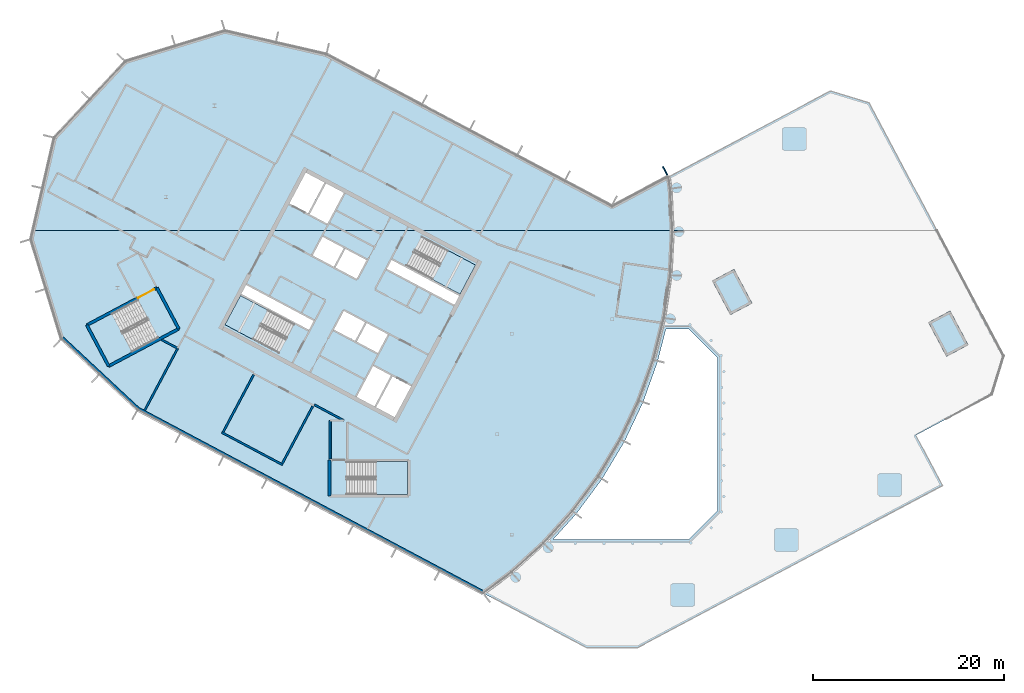
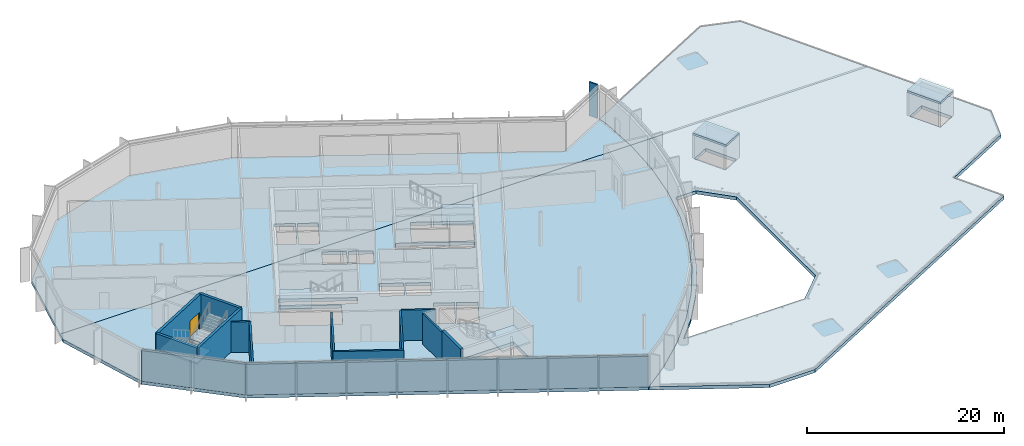
# One storey, part 4 of 16: 14 walls, 10 slabs, 1 door, 1 member, 1 opening, 5 elements without a shape of their own.
"""IFC4 building model written with IfcOpenShell, lengths in metres."""

from ifc_helpers import new_model, si_unit, direction, frame, frame_2d, origin, origin_2d, place, context, subcontext, project, spatial, polyline, rectangle, outline, extrude, material, layer, layer_set, material_profile, profile_set, type_object, element, fill, aggregate, save


model = new_model("IFC4")

# Units and contexts
model_context = context("Model", 3, precision=1e-05, world=origin(), true_north=direction((0.0, 1.0)))
body_context = subcontext(model_context, "Body", "Model", "MODEL_VIEW")
ifc_project = project(units=[si_unit("LENGTHUNIT", "METRE"), si_unit("AREAUNIT", "SQUARE_METRE"), si_unit("VOLUMEUNIT", "CUBIC_METRE"), si_unit("PLANEANGLEUNIT", "RADIAN"), si_unit("MASSUNIT", "GRAM", prefix="KILO")], contexts=[model_context])

# Site, building, storey
site_placement = place(None, origin())
site = spatial("IfcSite", under=ifc_project, at=site_placement, CompositionType="ELEMENT")
building_placement = place(site_placement, origin())
building = spatial("IfcBuilding", under=site, at=building_placement, Name="Cormorant Relay Tower", CompositionType="ELEMENT")
storey_placement = place(building_placement, frame((0.0, 0.0, 328.199951171875)))
storey = spatial("IfcBuildingStorey", under=building, at=storey_placement, Name="C1", CompositionType="ELEMENT", Elevation=328.199951171875)

# Curtain wall, member
ifc_material_1 = material(Name="Aluminium 6063-T6 anodised bronze", Category="aluminium")
ifc_layer_1 = layer(ifc_material_1, 0.199951171875)
ifc_layer_set_1 = layer_set([ifc_layer_1], Name="CW3 crown screen wall")
curtain_wall_type = type_object("IfcCurtainWallType", Name="CW3 crown screen wall", PredefinedType="NOTDEFINED", material=ifc_layer_set_1)
curtain_wall_placement = place(storey_placement, origin())
curtain_wall = element("IfcCurtainWall", 1, at=curtain_wall_placement, inside=storey, type_object=curtain_wall_type, Name="CW3 curtain wall 14", PredefinedType="NOTDEFINED")
ifc_material_2 = material(Name="Aluminium 6063-T6 anodised bronze", Category="aluminium")
ifc_material_profile = material_profile(ifc_material_2, rectangle(XDim=0.14990234375, YDim=1.0, at=origin_2d()), Name="AL 150x1000")
ifc_profile_set = profile_set([ifc_material_profile], Name="Aluminium 6063-T6 anodised bronze")
member_type = type_object("IfcMemberType", Name="CW3 bronze fin mullion 150 x 1000", PredefinedType="MULLION", material=ifc_profile_set)
member_placement = place(storey_placement, frame((5.52978515625, 27.51708984375, 0.0), z_axis=(0.0, 0.0, 1.0), x_axis=(-0.882947592859, -0.469471562786, 0.0)))
member = element("IfcMember", 2, at=member_placement, type_object=member_type, Name="CW3 fin 14.1", PredefinedType="MULLION", context=body_context, shape_type="SweptSolid", body=[
    extrude(rectangle(XDim=0.14990234375, YDim=1.0, at=origin_2d()), origin(), (0.0, 0.0, 1.0), 4.199951171875),
])
aggregate(curtain_wall, [member])

# Slabs
ifc_material_3 = material(Name="Concrete 40 MPa", Category="concrete")
ifc_layer_2 = layer(ifc_material_3, 0.400146484375)
ifc_layer_set_2 = layer_set([ifc_layer_2], Name="Crown floor slab 400")
slab_type_1 = type_object("IfcSlabType", Name="Crown floor slab 400", PredefinedType="FLOOR", material=ifc_layer_set_2)
slab_1_placement = place(storey_placement, frame((0.0, 0.0, -0.400146484375)))
element("IfcSlab", 3, at=slab_1_placement, inside=storey, type_object=slab_type_1, Name="Crown floor C1", PredefinedType="FLOOR", context=body_context, shape_type="SweptSolid", body=[
    extrude(outline(polyline([(-13.489013671875, -16.61181640625), (-10.550537109375, -14.432373046875), (-7.205810546875, -11.400634765625), (-4.17431640625, -8.055908203125), (-1.485107421875, -4.429931640625), (0.835693359375, -0.55810546875), (2.765869140625, 3.522705078125), (4.28662109375, 7.773193359375), (5.383544921875, 12.152099609375), (6.0458984375, 16.617431640625), (6.267333984375, 21.126220703125), (6.2587890625, 21.300048828125), (-60.510498046875, 21.300048828125), (-60.7197265625, 20.393310546875), (-57.541748046875, 9.997802734375), (-49.591552734375, 2.584228515625), (-13.489013671875, -16.61181640625)]), holes=[polyline([(-52.563720703125, 7.3134765625), (-47.442626953125, 10.036376953125), (-49.57861328125, 14.0537109375), (-54.69970703125, 11.330810546875), (-52.563720703125, 7.3134765625)]), polyline([(-28.039794921875, 12.870361328125), (-29.07275390625, 10.927978515625), (-26.865234375, 9.75439453125), (-25.83251953125, 11.69677734375), (-28.039794921875, 12.870361328125)]), polyline([(-38.847900390625, 14.483154296875), (-40.46728515625, 11.43701171875), (-34.860595703125, 8.455810546875), (-33.240966796875, 11.502197265625), (-38.847900390625, 14.483154296875)]), polyline([(-38.75390625, 14.659912109375), (-31.690185546875, 10.904052734375), (-31.197265625, 11.8310546875), (-38.260986328125, 15.5869140625), (-38.75390625, 14.659912109375)]), polyline([(-31.294189453125, 18.677978515625), (-29.0869140625, 17.50439453125), (-28.053955078125, 19.447021484375), (-30.261474609375, 20.62060546875), (-31.294189453125, 18.677978515625)]), polyline([(-21.39990234375, -2.875), (-27.75, -2.875), (-27.75, -6.324951171875), (-21.39990234375, -6.324951171875), (-21.39990234375, -2.875)]), polyline([(-22.95458984375, 6.03271484375), (-24.668212890625, 2.81005859375), (-22.725830078125, 1.777099609375), (-21.01220703125, 5.0), (-23.04296875, 6.07958984375), (-22.95458984375, 6.03271484375)]), polyline([(-24.985595703125, 7.112548828125), (-26.69921875, 3.889892578125), (-24.844970703125, 2.90380859375), (-23.13134765625, 6.126708984375), (-23.04296875, 6.07958984375), (-24.985595703125, 7.112548828125)]), polyline([(-24.481201171875, 8.48681640625), (-23.448486328125, 10.42919921875), (-25.656005859375, 11.602783203125), (-26.688720703125, 9.660400390625), (-24.481201171875, 8.48681640625)]), polyline([(-15.989013671875, 14.447509765625), (-23.052490234375, 18.203125), (-23.54541015625, 17.276123046875), (-16.481689453125, 13.520263671875), (-15.989013671875, 14.447509765625)]), polyline([(-15.89501953125, 14.6240234375), (-14.275390625, 17.670166015625), (-19.882080078125, 20.6513671875), (-21.501708984375, 17.605224609375), (-15.89501953125, 14.6240234375)]), polyline([(-25.670166015625, 18.17919921875), (-27.87744140625, 19.35302734375), (-28.910400390625, 17.410400390625), (-26.702880859375, 16.23681640625), (-25.670166015625, 18.17919921875)])]), origin(), (0.0, 0.0, 1.0), 0.400146484375),
])
slab_2_placement = place(storey_placement, frame((0.0, 0.0, -0.400146484375)))
element("IfcSlab", 4, at=slab_2_placement, inside=storey, type_object=slab_type_1, Name="Crown floor C1", PredefinedType="FLOOR", context=body_context, shape_type="SweptSolid", body=[
    extrude(outline(polyline([(-60.510498046875, 21.300048828125), (6.2587890625, 21.300048828125), (6.0458984375, 25.635009765625), (5.8583984375, 26.89892578125), (0.0, 23.783935546875), (-29.873779296875, 39.668212890625), (-40.465576171875, 42.11328125), (-50.86083984375, 38.935302734375), (-58.2744140625, 30.985107421875), (-60.510498046875, 21.300048828125)]), holes=[polyline([(-29.75732421875, 21.99462890625), (-28.043701171875, 25.217529296875), (-29.89794921875, 26.203369140625), (-31.611572265625, 22.980712890625), (-29.75732421875, 21.99462890625)]), polyline([(-33.73046875, 24.107421875), (-31.7880859375, 23.074462890625), (-30.074462890625, 26.29736328125), (-32.01708984375, 27.330078125), (-33.73046875, 24.107421875)])]), origin(), (0.0, 0.0, 1.0), 0.400146484375),
])
ifc_material_4 = material(Name="Concrete 40 MPa", Category="concrete")
ifc_layer_3 = layer(ifc_material_4, 0.400146484375)
ifc_layer_set_3 = layer_set([ifc_layer_3], Name="Crown terrace roof slab 400")
slab_type_2 = type_object("IfcSlabType", Name="Crown terrace roof slab 400", PredefinedType="ROOF", material=ifc_layer_set_3)
slab_3_placement = place(storey_placement, frame((0.0, 0.0, -0.400146484375)))
element("IfcSlab", 5, at=slab_3_placement, inside=storey, type_object=slab_type_2, Name="Roof terrace L74", PredefinedType="ROOF", context=body_context, shape_type="SweptSolid", body=[
    extrude(outline(polyline([(-2.648681640625, -22.37548828125), (2.648681640625, -22.37548828125), (34.581298828125, -5.396728515625), (31.7646484375, -0.09912109375), (39.711181640625, 4.126220703125), (40.95166015625, 8.18359375), (33.977294921875, 21.300048828125), (6.259765625, 21.300048828125), (6.268310546875, 21.126220703125), (6.268310546875, 21.126220703125), (6.046875, 16.617431640625), (6.046875, 16.6171875), (5.384521484375, 12.15185546875), (5.384521484375, 12.15185546875), (4.28759765625, 7.77294921875), (4.28759765625, 7.772705078125), (2.766845703125, 3.5224609375), (2.7666015625, 3.5224609375), (0.836669921875, -0.55859375), (0.836669921875, -0.55859375), (-1.484130859375, -4.430419921875), (-1.484130859375, -4.4306640625), (-4.17333984375, -8.056396484375), (-4.17333984375, -8.056396484375), (-7.205078125, -11.4013671875), (-7.205078125, -11.4013671875), (-10.5498046875, -14.43310546875), (-10.550048828125, -14.43310546875), (-13.48828125, -16.6123046875), (-2.648681640625, -22.37548828125)]), holes=[polyline([(8.0, 11.0), (5.6103515625, 11.0), (4.765625, 7.627685546875), (3.228271484375, 3.331298828125), (1.277099609375, -0.7939453125), (-1.06884765625, -4.7080078125), (-3.787109375, -8.373291015625), (-6.167724609375, -11.0), (8.0, -11.0), (11.0, -8.0), (11.0, 8.0), (8.0, 11.0)]), polyline([(35.31591796875, 12.605224609375), (33.37353515625, 11.572509765625), (35.087158203125, 8.349609375), (37.029541015625, 9.382568359375), (35.31591796875, 12.605224609375)]), polyline([(12.36328125, 12.74609375), (14.39404296875, 13.825927734375), (14.3056640625, 13.779052734375), (12.592041015625, 17.001708984375), (10.649658203125, 15.968994140625), (12.36328125, 12.74609375)])]), origin(), (0.0, 0.0, 1.0), 0.400146484375),
])
slab_4_placement = place(storey_placement, frame((0.0, 0.0, -0.400146484375)))
element("IfcSlab", 6, at=slab_4_placement, inside=storey, type_object=slab_type_2, Name="Roof terrace L74", PredefinedType="ROOF", context=body_context, shape_type="SweptSolid", body=[
    extrude(outline(polyline([(6.259765625, 21.300048828125), (33.977294921875, 21.300048828125), (26.867431640625, 34.671875), (22.810302734375, 35.912353515625), (5.859375, 26.8994140625), (5.859375, 26.8994140625), (5.859375, 26.8994140625), (5.859375, 26.899169921875), (5.859375, 26.899169921875), (6.046875, 25.63525390625), (6.046875, 25.635009765625), (6.259765625, 21.300048828125)])), origin(), (0.0, 0.0, 1.0), 0.400146484375),
])

# Stair, slab
ifc_material_5 = material(Name="Concrete 40 MPa", Category="concrete")
stair_type_1 = type_object("IfcStairType", Name="Exit stair 1500", PredefinedType="HALF_TURN_STAIR", material=ifc_material_5)
stair_1_placement = place(storey_placement, origin())
stair_1 = element("IfcStair", 7, at=stair_1_placement, inside=storey, type_object=stair_type_1, Name="C1 Stair", PredefinedType="HALF_TURN_STAIR")
ifc_material_6 = material(Name="Concrete 40 MPa", Category="concrete")
ifc_layer_4 = layer(ifc_material_6, 0.199951171875)
ifc_layer_set_4 = layer_set([ifc_layer_4], Name="Exit stair landing 200")
slab_type_3 = type_object("IfcSlabType", Name="Exit stair landing 200", PredefinedType="LANDING", material=ifc_layer_set_4)
slab_5_placement = place(storey_placement, frame((0.0, 0.0, 1.900146484375)))
slab_5 = element("IfcSlab", 8, at=slab_5_placement, type_object=slab_type_3, Name="A1 landing 1", PredefinedType="LANDING", context=body_context, shape_type="SweptSolid", body=[
    extrude(outline(polyline([(-18.7822265625, 16.1591796875), (-15.89501953125, 14.6240234375), (-14.275390625, 17.670166015625), (-17.16259765625, 19.205322265625), (-18.7822265625, 16.1591796875)])), origin(), (0.0, 0.0, 1.0), 0.199951171875),
])
aggregate(stair_1, [slab_5])

stair_2_placement = place(storey_placement, origin())
stair_2 = element("IfcStair", 9, at=stair_2_placement, inside=storey, type_object=stair_type_1, Name="C1 Stair", PredefinedType="HALF_TURN_STAIR")
slab_6_placement = place(storey_placement, frame((0.0, 0.0, 1.900146484375)))
slab_6 = element("IfcSlab", 10, at=slab_6_placement, type_object=slab_type_3, Name="A2 landing 1", PredefinedType="LANDING", context=body_context, shape_type="SweptSolid", body=[
    extrude(outline(polyline([(-35.96044921875, 12.947998046875), (-38.84765625, 14.483154296875), (-40.467529296875, 11.43701171875), (-37.580322265625, 9.90185546875), (-35.96044921875, 12.947998046875)])), origin(), (0.0, 0.0, 1.0), 0.199951171875),
])
aggregate(stair_2, [slab_6])

ifc_material_7 = material(Name="Concrete 40 MPa", Category="concrete")
stair_type_2 = type_object("IfcStairType", Name="Remote exit stair 2200", PredefinedType="HALF_TURN_STAIR", material=ifc_material_7)
stair_3_placement = place(storey_placement, origin())
stair_3 = element("IfcStair", 11, at=stair_3_placement, inside=storey, type_object=stair_type_2, Name="C1 Stair", PredefinedType="HALF_TURN_STAIR")
slab_7_placement = place(storey_placement, frame((0.0, 0.0, 1.900146484375)))
slab_7 = element("IfcSlab", 12, at=slab_7_placement, type_object=slab_type_3, Name="RP1 landing 1", PredefinedType="LANDING", context=body_context, shape_type="SweptSolid", body=[
    extrude(outline(polyline([(-52.29833984375, 12.607666015625), (-54.699951171875, 11.330810546875), (-52.563720703125, 7.3134765625), (-50.162109375, 8.59033203125), (-52.29833984375, 12.607666015625)])), origin(), (0.0, 0.0, 1.0), 0.199951171875),
])
aggregate(stair_3, [slab_7])

stair_4_placement = place(storey_placement, origin())
stair_4 = element("IfcStair", 13, at=stair_4_placement, inside=storey, type_object=stair_type_1, Name="C1 Stair", PredefinedType="HALF_TURN_STAIR")
slab_8_placement = place(storey_placement, frame((0.0, 0.0, 1.900146484375)))
slab_8 = element("IfcSlab", 14, at=slab_8_placement, type_object=slab_type_3, Name="RC1 landing 1", PredefinedType="LANDING", context=body_context, shape_type="SweptSolid", body=[
    extrude(outline(polyline([(-24.669921875, -6.324951171875), (-21.39990234375, -6.324951171875), (-21.39990234375, -2.875), (-24.669921875, -2.875), (-24.669921875, -6.324951171875)])), origin(), (0.0, 0.0, 1.0), 0.199951171875),
])
aggregate(stair_4, [slab_8])

# Slabs
ifc_material_8 = material(Name="Concrete 50 MPa", Category="concrete")
ifc_layer_5 = layer(ifc_material_8, 0.25)
ifc_layer_set_5 = layer_set([ifc_layer_5], Name="Lift overrun roof 250")
slab_type_4 = type_object("IfcSlabType", Name="Lift overrun roof 250", PredefinedType="ROOF", material=ifc_layer_set_5)
slab_9_placement = place(storey_placement, frame((0.0, 0.0, 3.0)))
element("IfcSlab", 15, at=slab_9_placement, inside=storey, type_object=slab_type_4, Name="Core B FF lift overrun roof", PredefinedType="ROOF", context=body_context, shape_type="SweptSolid", body=[
    extrude(outline(polyline([(14.610107421875, 13.685791015625), (12.3583984375, 12.48876953125), (10.480712890625, 16.0205078125), (12.732177734375, 17.2177734375), (14.610107421875, 13.685791015625)])), origin(), (0.0, 0.0, 1.0), 0.25),
])
slab_10_placement = place(storey_placement, frame((0.0, 0.0, 3.0)))
element("IfcSlab", 16, at=slab_10_placement, inside=storey, type_object=slab_type_4, Name="Core B SV lift overrun roof", PredefinedType="ROOF", context=body_context, shape_type="SweptSolid", body=[
    extrude(outline(polyline([(37.198486328125, 9.330810546875), (34.947021484375, 8.1337890625), (33.069091796875, 11.66552734375), (35.32080078125, 12.86279296875), (37.198486328125, 9.330810546875)])), origin(), (0.0, 0.0, 1.0), 0.25),
])

# Walls
ifc_material_9 = material(Name="Concrete 30 MPa block wall", Category="concrete")
ifc_layer_6 = layer(ifc_material_9, 0.199951171875)
ifc_layer_set_6 = layer_set([ifc_layer_6], Name="Crown plant room wall 200")
wall_type_1 = type_object("IfcWallType", Name="Crown plant room wall 200", PredefinedType="PARTITIONING", material=ifc_layer_set_6)
wall_1_placement = place(storey_placement, frame((-34.43701171875, -3.208251953125, 0.0), z_axis=(0.0, 0.0, 1.0), x_axis=(-0.882957622595, 0.46945269911, 0.0)))
element("IfcWall", 17, at=wall_1_placement, inside=storey, type_object=wall_type_1, Name="Plant room wall", PredefinedType="PARTITIONING", context=body_context, shape_type="SweptSolid", body=[
    extrude(rectangle(XDim=7.2001953125, YDim=0.199951171875, at=frame_2d((3.60009765625, 0.0))), origin(), (0.0, 0.0, 1.0), 3.7998046875),
])
for number, where, z_axis, x_axis, name in (
    (18, (-31.2861328125, 2.930908203125, 0.0), (0.0, 0.0, 1.0), (-0.469477207229, -0.882944591632, 0.0), "Plant room wall"),
    (19, (-37.466796875, 6.21728515625, 0.0), (0.0, 0.0, 1.0), (-0.469477207229, -0.882944591632, 0.0), "Plant room wall"),
):
    element("IfcWall", number, at=place(storey_placement, frame(where, z_axis=z_axis, x_axis=x_axis)), inside=storey, type_object=wall_type_1, Name=name, PredefinedType="PARTITIONING", context=body_context, shape_type="SweptSolid", body=[
        extrude(rectangle(XDim=6.7998046875, YDim=0.199951171875, at=frame_2d((3.39990234375, 0.0))), origin(), (0.0, 0.0, 1.0), 3.7998046875),
    ])
wall_2_placement = place(storey_placement, frame((-29.474853515625, -2.574951171875, 0.0), z_axis=(0.0, 0.0, 1.0), x_axis=(-6.1038882e-05, 0.999999998137, 0.0)))
element("IfcWall", 20, at=wall_2_placement, inside=storey, type_object=wall_type_1, Name="Plant room wall", PredefinedType="PARTITIONING", context=body_context, shape_type="SweptSolid", body=[
    extrude(rectangle(XDim=3.999755859375, YDim=0.199951171875, at=frame_2d((2.0, 0.0))), origin(), (0.0, 0.0, 1.0), 3.7998046875),
])
wall_3_placement = place(storey_placement, frame((-28.043701171875, 1.425048828125, 0.0), z_axis=(0.0, 0.0, 1.0), x_axis=(-0.881938187053, 0.471365075305, 0.0)))
element("IfcWall", 21, at=wall_3_placement, inside=storey, type_object=wall_type_1, Name="Plant room wall", PredefinedType="PARTITIONING", context=body_context, shape_type="SweptSolid", body=[
    extrude(rectangle(XDim=3.489990234375, YDim=0.199951171875, at=frame_2d((1.7451171875, 0.0))), origin(), (0.0, 0.0, 1.0), 3.7998046875),
])
wall_4_placement = place(storey_placement, frame((-47.112060546875, 9.872314453125, 0.0), z_axis=(0.0, 0.0, 1.0), x_axis=(0.882971629116, -0.469426354368, 0.0)))
element("IfcWall", 22, at=wall_4_placement, inside=storey, type_object=wall_type_1, Name="Plant room wall", PredefinedType="PARTITIONING", context=body_context, shape_type="SweptSolid", body=[
    extrude(rectangle(XDim=1.93115234375, YDim=0.199951171875, at=frame_2d((0.965576171875, 0.0))), origin(), (0.0, 0.0, 1.0), 3.7998046875),
])
wall_5_placement = place(storey_placement, frame((-45.406982421875, 8.965576171875, 0.0), z_axis=(0.0, 0.0, 1.0), x_axis=(-0.469465306224, -0.882950919504, 0.0)))
element("IfcWall", 23, at=wall_5_placement, inside=storey, type_object=wall_type_1, Name="Plant room wall", PredefinedType="PARTITIONING", context=body_context, shape_type="SweptSolid", body=[
    extrude(rectangle(XDim=7.3486328125, YDim=0.199951171875, at=frame_2d((3.67431640625, 0.0))), origin(), (0.0, 0.0, 1.0), 3.7998046875),
])
ifc_material_10 = material(Name="Bronze cladding on Concrete 30 MPa block wall", Category="concrete")
ifc_layer_7 = layer(ifc_material_10, 0.25)
ifc_layer_set_7 = layer_set([ifc_layer_7], Name="Crown wall 250")
wall_type_2 = type_object("IfcWallType", Name="Crown wall 250", PredefinedType="STANDARD", material=ifc_layer_set_7)
wall_6_placement = place(storey_placement, frame((-13.500244140625, -16.464111328125, 0.0), z_axis=(0.0, 0.0, 1.0), x_axis=(-0.88294782222, 0.46947113142, 0.0)))
element("IfcWall", 24, at=wall_6_placement, inside=storey, type_object=wall_type_2, Name="Crown wall C1", PredefinedType="STANDARD", context=body_context, shape_type="SweptSolid", body=[
    extrude(rectangle(XDim=40.79296875, YDim=0.25, at=frame_2d((20.396484375, 0.0))), origin(), (0.0, 0.0, 1.0), 3.7998046875),
])
wall_7_placement = place(storey_placement, frame((-49.518310546875, 2.68701171875, 0.0), z_axis=(0.0, 0.0, 1.0), x_axis=(-0.731359823822, 0.681991794745, 0.0)))
element("IfcWall", 25, at=wall_7_placement, inside=storey, type_object=wall_type_2, Name="Crown wall C1", PredefinedType="STANDARD", context=body_context, shape_type="SweptSolid", body=[
    extrude(rectangle(XDim=10.8203125, YDim=0.25, at=frame_2d((5.41015625, 0.0))), origin(), (0.0, 0.0, 1.0), 3.7998046875),
])
ifc_material_11 = material(Name="Concrete 50 MPa", Category="concrete")
ifc_layer_8 = layer(ifc_material_11, 0.300048828125)
ifc_layer_set_8 = layer_set([ifc_layer_8], Name="Remote stair wall 300")
wall_type_3 = type_object("IfcWallType", Name="Remote stair wall 300", PredefinedType="SHEAR", material=ifc_layer_set_8)
wall_8_placement = place(storey_placement, frame((-47.57421875, 15.28955078125, 0.0), z_axis=(0.0, 0.0, 1.0), x_axis=(0.469443498566, -0.882962514297, 0.0)))
element("IfcWall", 26, at=wall_8_placement, inside=storey, type_object=wall_type_3, Name="C1 exit stair RP1 wall", PredefinedType="SHEAR", context=body_context, shape_type="SweptSolid", body=[
    extrude(rectangle(XDim=4.85009765625, YDim=0.300048828125, at=frame_2d((2.425048828125, 0.0))), origin(), (0.0, 0.0, 1.0), 4.199951171875),
])
wall_9_placement = place(storey_placement, frame((-45.29736328125, 11.007080078125, 0.0), z_axis=(0.0, 0.0, 1.0), x_axis=(-0.882951519127, -0.469464178475, 0.0)))
element("IfcWall", 27, at=wall_9_placement, inside=storey, type_object=wall_type_3, Name="C1 exit stair RP1 wall", PredefinedType="SHEAR", context=body_context, shape_type="SweptSolid", body=[
    extrude(rectangle(XDim=8.2998046875, YDim=0.300048828125, at=frame_2d((4.14990234375, 0.0))), origin(), (0.0, 0.0, 1.0), 4.199951171875),
])
wall_10_placement = place(storey_placement, frame((-52.625732421875, 7.110595703125, 0.0), z_axis=(0.0, 0.0, 1.0), x_axis=(-0.469464364128, 0.882951420416, 0.0)))
element("IfcWall", 28, at=wall_10_placement, inside=storey, type_object=wall_type_3, Name="C1 exit stair RP1 wall", PredefinedType="SHEAR", context=body_context, shape_type="SweptSolid", body=[
    extrude(rectangle(XDim=4.849853515625, YDim=0.300048828125, at=frame_2d((2.4248046875, 0.0))), origin(), (0.0, 0.0, 1.0), 4.199951171875),
])

# Wall, opening, door
wall_11_placement = place(storey_placement, frame((-54.902587890625, 11.392822265625, 0.0), z_axis=(0.0, 0.0, 1.0), x_axis=(0.882939326045, 0.469487110071, 0.0)))
wall_11 = element("IfcWall", 29, at=wall_11_placement, inside=storey, type_object=wall_type_3, Name="C1 exit stair RP1 wall", PredefinedType="SHEAR", context=body_context, shape_type="SweptSolid", body=[
    extrude(rectangle(XDim=8.300048828125, YDim=0.300048828125, at=frame_2d((4.14990234375, 0.0))), origin(), (0.0, 0.0, 1.0), 4.199951171875),
])
opening_placement = place(wall_11_placement, frame((6.050048828125, 0.0, 0.0)))
opening = element("IfcOpeningElement", 30, at=opening_placement, cuts=wall_11, Name="Opening CDE-018", PredefinedType="OPENING", context=body_context, shape_type="SweptSolid", body=[
    extrude(rectangle(XDim=1.89990234375, YDim=2.10009765625, at=frame_2d((0.949951171875, 1.050048828125))), frame((0.0, 0.159912109375, 0.0), z_axis=(0.0, -1.0, 0.0), x_axis=(1.0, 0.0, 0.0)), (0.0, 0.0, 1.0), 0.320068359375),
])
ifc_material_12 = material(Name="Steel fire door", Category="steel")
door_type = type_object("IfcDoorType", Name="Remote stair door 1900x2100", OperationType="DOUBLE_DOOR_SINGLE_SWING", PredefinedType="DOOR", material=ifc_material_12)
door_placement = place(opening_placement, origin())
door = element("IfcDoor", 31, at=door_placement, inside=storey, type_object=door_type, Name="Exit stair RP1 door", OperationType="DOUBLE_DOOR_SINGLE_SWING", OverallHeight=2.10009765625, OverallWidth=1.89990234375, PredefinedType="DOOR", context=body_context, shape_type="SweptSolid", body=[
    extrude(rectangle(XDim=1.89990234375, YDim=2.10009765625, at=frame_2d((0.949951171875, 1.050048828125))), frame((0.0, 0.02490234375, 0.0), z_axis=(0.0, -1.0, 0.0), x_axis=(1.0, 0.0, 0.0)), (0.0, 0.0, 1.0), 0.050048828125),
])
fill(opening, door)

# Wall
wall_12_placement = place(storey_placement, frame((-29.550048828125, -6.47509765625, 0.0), z_axis=(0.0, 0.0, 1.0), x_axis=(0.0, 1.0, 0.0)))
element("IfcWall", 32, at=wall_12_placement, inside=storey, type_object=wall_type_3, Name="C1 exit stair RC1 wall", PredefinedType="SHEAR", context=body_context, shape_type="SweptSolid", body=[
    extrude(rectangle(XDim=3.75, YDim=0.300048828125, at=frame_2d((1.875, 0.0))), origin(), (0.0, 0.0, 1.0), 4.199951171875),
])

save(model, "model.ifc")
